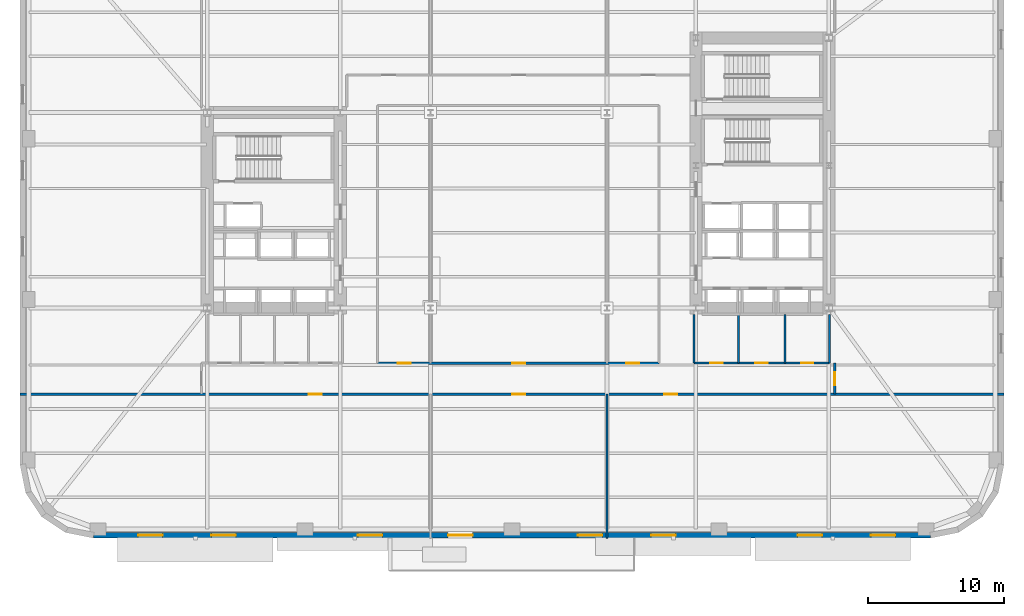
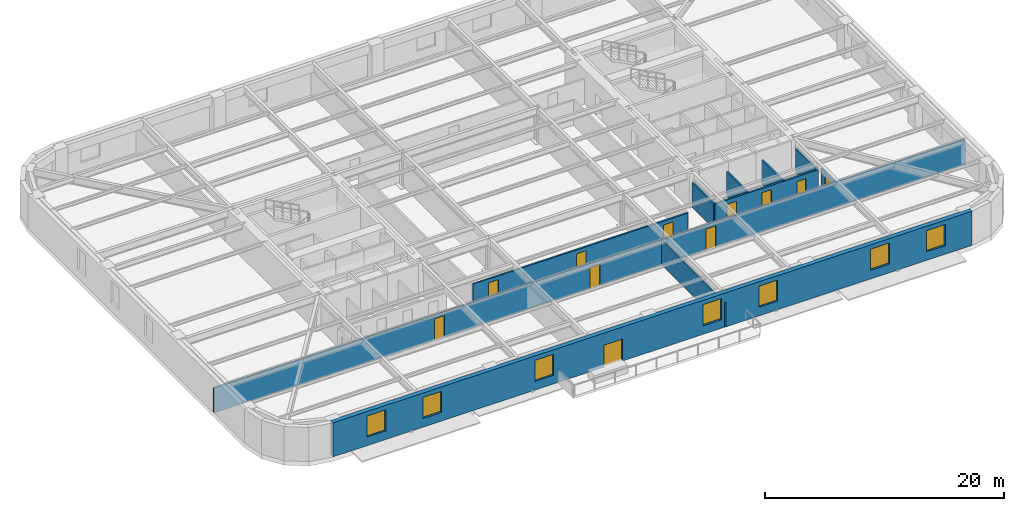
# One storey, part 5 of 15: 11 doors, 10 walls, 7 windows, 18 openings.
"""IFC4 building model written with IfcOpenShell, lengths in metres."""

from ifc_helpers import new_model, si_unit, direction, frame, frame_2d, origin, place, context, subcontext, project, spatial, rectangle, extrude, material, layer, layer_set, type_object, element, fill, save


model = new_model("IFC4")

# Units and contexts
model_context = context("Model", 3, precision=1e-05, world=origin(), true_north=direction((0.0, 1.0)))
body_context = subcontext(model_context, "Body", "Model", "MODEL_VIEW")
ifc_project = project(units=[si_unit("LENGTHUNIT", "METRE"), si_unit("AREAUNIT", "SQUARE_METRE"), si_unit("VOLUMEUNIT", "CUBIC_METRE"), si_unit("PLANEANGLEUNIT", "RADIAN"), si_unit("MASSUNIT", "GRAM", prefix="KILO")], contexts=[model_context])

# Site, building, storey
site_placement = place(None, origin())
site = spatial("IfcSite", under=ifc_project, at=site_placement, CompositionType="ELEMENT")
building_placement = place(site_placement, origin())
building = spatial("IfcBuilding", under=site, at=building_placement, Name="Kolvaren Arena Tower", CompositionType="ELEMENT")
storey_placement = place(building_placement, frame((0.0, 0.0, 42.0)))
storey = spatial("IfcBuildingStorey", under=building, at=storey_placement, Name="L07", CompositionType="ELEMENT", Elevation=42.0)

# Wall, openings, doors
ifc_material_1 = material(Name="Gypsum board acoustic assembly", Category="gypsum")
ifc_layer_1 = layer(ifc_material_1, 0.159912109375)
ifc_layer_set_1 = layer_set([ifc_layer_1], Name="Gypsum board acoustic assembly")
wall_type_1 = type_object("IfcWallType", Name="CORR-160", PredefinedType="PARTITIONING", material=ifc_layer_set_1)
wall_1_placement = place(storey_placement, frame((0.75, 13.10009765625, 0.0), z_axis=(0.0, 0.0, 1.0), x_axis=(1.0, 0.0, 0.0)))
wall_1 = element("IfcWall", 1, at=wall_1_placement, inside=storey, type_object=wall_type_1, Name="Interior Partition Wall (L07)", PredefinedType="PARTITIONING", context=body_context, shape_type="SweptSolid", body=[
    extrude(rectangle(XDim=72.5, YDim=0.159912109375, at=frame_2d((36.25, 0.0))), origin(), (0.0, 0.0, 1.0), 2.5400390625),
])
opening_1_placement = place(wall_1_placement, frame((21.27490234375, 0.0, 0.0)))
opening_1 = element("IfcOpeningElement", 2, at=opening_1_placement, cuts=wall_1, Name="Opening D05", PredefinedType="OPENING", context=body_context, shape_type="SweptSolid", body=[
    extrude(rectangle(XDim=0.949951171875, YDim=2.14990234375, at=frame_2d((0.47509765625, 1.074951171875))), frame((0.0, 0.08984375, 0.0), z_axis=(0.0, -1.0, 0.0), x_axis=(1.0, 0.0, 0.0)), (0.0, 0.0, 1.0), 0.179931640625),
])
opening_2_placement = place(wall_1_placement, frame((36.27490234375, 0.0, 0.0)))
opening_2 = element("IfcOpeningElement", 3, at=opening_2_placement, cuts=wall_1, Name="Opening D05", PredefinedType="OPENING", context=body_context, shape_type="SweptSolid", body=[
    extrude(rectangle(XDim=0.949951171875, YDim=2.14990234375, at=frame_2d((0.47509765625, 1.074951171875))), frame((0.0, 0.08984375, 0.0), z_axis=(0.0, -1.0, 0.0), x_axis=(1.0, 0.0, 0.0)), (0.0, 0.0, 1.0), 0.179931640625),
])
opening_3_placement = place(wall_1_placement, frame((47.47509765625, 0.0, 0.0)))
opening_3 = element("IfcOpeningElement", 4, at=opening_3_placement, cuts=wall_1, Name="Opening D05", PredefinedType="OPENING", context=body_context, shape_type="SweptSolid", body=[
    extrude(rectangle(XDim=0.949951171875, YDim=2.14990234375, at=frame_2d((0.47509765625, 1.074951171875))), frame((0.0, 0.08984375, 0.0), z_axis=(0.0, -1.0, 0.0), x_axis=(1.0, 0.0, 0.0)), (0.0, 0.0, 1.0), 0.179931640625),
])
ifc_material_2 = material(Name="Solid-core oak acoustic office door", Category="wood")
door_type_1 = type_object("IfcDoorType", Name="DOOR-OF-095", OperationType="NOTDEFINED", PredefinedType="DOOR", material=ifc_material_2)
door_1_placement = place(opening_1_placement, origin())
door_1 = element("IfcDoor", 5, at=door_1_placement, inside=storey, type_object=door_type_1, Name="Open Plan Office Door (L07)", OperationType="SINGLE_SWING_LEFT", OverallHeight=2.14990234375, OverallWidth=0.949951171875, PredefinedType="DOOR", context=body_context, shape_type="SweptSolid", body=[
    extrude(rectangle(XDim=0.949951171875, YDim=2.14990234375, at=frame_2d((0.47509765625, 1.074951171875))), frame((0.0, 0.02490234375, 0.0), z_axis=(0.0, -1.0, 0.0), x_axis=(1.0, 0.0, 0.0)), (0.0, 0.0, 1.0), 0.050048828125),
])
fill(opening_1, door_1)
door_2_placement = place(opening_2_placement, origin())
door_2 = element("IfcDoor", 6, at=door_2_placement, inside=storey, type_object=door_type_1, Name="Open Plan Office Door (L07)", OperationType="SINGLE_SWING_RIGHT", OverallHeight=2.14990234375, OverallWidth=0.949951171875, PredefinedType="DOOR", context=body_context, shape_type="SweptSolid", body=[
    extrude(rectangle(XDim=0.949951171875, YDim=2.14990234375, at=frame_2d((0.47509765625, 1.074951171875))), frame((0.0, 0.02490234375, 0.0), z_axis=(0.0, -1.0, 0.0), x_axis=(1.0, 0.0, 0.0)), (0.0, 0.0, 1.0), 0.050048828125),
])
fill(opening_2, door_2)
door_3_placement = place(opening_3_placement, origin())
door_3 = element("IfcDoor", 7, at=door_3_placement, inside=storey, type_object=door_type_1, Name="Collaborative Work Studio Door (L07)", OperationType="SINGLE_SWING_LEFT", OverallHeight=2.14990234375, OverallWidth=0.949951171875, PredefinedType="DOOR", context=body_context, shape_type="SweptSolid", body=[
    extrude(rectangle(XDim=0.949951171875, YDim=2.14990234375, at=frame_2d((0.47509765625, 1.074951171875))), frame((0.0, 0.02490234375, 0.0), z_axis=(0.0, -1.0, 0.0), x_axis=(1.0, 0.0, 0.0)), (0.0, 0.0, 1.0), 0.050048828125),
])
fill(opening_3, door_3)

wall_2_placement = place(storey_placement, frame((27.080078125, 15.3798828125, 0.0), z_axis=(0.0, 0.0, 1.0), x_axis=(1.0, 0.0, 0.0)))
wall_2 = element("IfcWall", 8, at=wall_2_placement, inside=storey, type_object=wall_type_1, Name="Interior Partition Wall (L07)", PredefinedType="PARTITIONING", context=body_context, shape_type="SweptSolid", body=[
    extrude(rectangle(XDim=20.739990234375, YDim=0.159912109375, at=frame_2d((10.3701171875, 0.0))), origin(), (0.0, 0.0, 1.0), 2.5400390625),
])
opening_4_placement = place(wall_2_placement, frame((1.4951171875, 0.0, 0.0)))
opening_4 = element("IfcOpeningElement", 9, at=opening_4_placement, cuts=wall_2, Name="Opening D05", PredefinedType="OPENING", context=body_context, shape_type="SweptSolid", body=[
    extrude(rectangle(XDim=0.949951171875, YDim=2.14990234375, at=frame_2d((0.47509765625, 1.074951171875))), frame((0.0, 0.08984375, 0.0), z_axis=(0.0, -1.0, 0.0), x_axis=(1.0, 0.0, 0.0)), (0.0, 0.0, 1.0), 0.179931640625),
])
opening_5_placement = place(wall_2_placement, frame((9.945068359375, 0.0, 0.0)))
opening_5 = element("IfcOpeningElement", 10, at=opening_5_placement, cuts=wall_2, Name="Opening D05", PredefinedType="OPENING", context=body_context, shape_type="SweptSolid", body=[
    extrude(rectangle(XDim=0.949951171875, YDim=2.14990234375, at=frame_2d((0.47509765625, 1.074951171875))), frame((0.0, 0.08984375, 0.0), z_axis=(0.0, -1.0, 0.0), x_axis=(1.0, 0.0, 0.0)), (0.0, 0.0, 1.0), 0.179931640625),
])
opening_6_placement = place(wall_2_placement, frame((18.344970703125, 0.0, 0.0)))
opening_6 = element("IfcOpeningElement", 11, at=opening_6_placement, cuts=wall_2, Name="Opening D05", PredefinedType="OPENING", context=body_context, shape_type="SweptSolid", body=[
    extrude(rectangle(XDim=0.949951171875, YDim=2.14990234375, at=frame_2d((0.47509765625, 1.074951171875))), frame((0.0, 0.08984375, 0.0), z_axis=(0.0, -1.0, 0.0), x_axis=(1.0, 0.0, 0.0)), (0.0, 0.0, 1.0), 0.179931640625),
])
door_4_placement = place(opening_4_placement, origin())
door_4 = element("IfcDoor", 12, at=door_4_placement, inside=storey, type_object=door_type_1, Name="Open Plan Office Door (L07)", OperationType="SINGLE_SWING_LEFT", OverallHeight=2.14990234375, OverallWidth=0.949951171875, PredefinedType="DOOR", context=body_context, shape_type="SweptSolid", body=[
    extrude(rectangle(XDim=0.949951171875, YDim=2.14990234375, at=frame_2d((0.47509765625, 1.074951171875))), frame((0.0, 0.02490234375, 0.0), z_axis=(0.0, -1.0, 0.0), x_axis=(1.0, 0.0, 0.0)), (0.0, 0.0, 1.0), 0.050048828125),
])
fill(opening_4, door_4)
door_5_placement = place(opening_5_placement, origin())
door_5 = element("IfcDoor", 13, at=door_5_placement, inside=storey, type_object=door_type_1, Name="Open Plan Office Door (L07)", OperationType="SINGLE_SWING_RIGHT", OverallHeight=2.14990234375, OverallWidth=0.949951171875, PredefinedType="DOOR", context=body_context, shape_type="SweptSolid", body=[
    extrude(rectangle(XDim=0.949951171875, YDim=2.14990234375, at=frame_2d((0.47509765625, 1.074951171875))), frame((0.0, 0.02490234375, 0.0), z_axis=(0.0, -1.0, 0.0), x_axis=(1.0, 0.0, 0.0)), (0.0, 0.0, 1.0), 0.050048828125),
])
fill(opening_5, door_5)
door_6_placement = place(opening_6_placement, origin())
door_6 = element("IfcDoor", 14, at=door_6_placement, inside=storey, type_object=door_type_1, Name="Meeting Room Door (L07)", OperationType="SINGLE_SWING_LEFT", OverallHeight=2.14990234375, OverallWidth=0.949951171875, PredefinedType="DOOR", context=body_context, shape_type="SweptSolid", body=[
    extrude(rectangle(XDim=0.949951171875, YDim=2.14990234375, at=frame_2d((0.47509765625, 1.074951171875))), frame((0.0, 0.02490234375, 0.0), z_axis=(0.0, -1.0, 0.0), x_axis=(1.0, 0.0, 0.0)), (0.0, 0.0, 1.0), 0.050048828125),
])
fill(opening_6, door_6)

# Wall, opening, door
wall_3_placement = place(storey_placement, frame((60.780029296875, 13.10009765625, 0.0), z_axis=(0.0, 0.0, 1.0), x_axis=(0.0, 1.0, 0.0)))
wall_3 = element("IfcWall", 15, at=wall_3_placement, inside=storey, type_object=wall_type_1, Name="Interior Partition Wall (L07)", PredefinedType="PARTITIONING", context=body_context, shape_type="SweptSolid", body=[
    extrude(rectangle(XDim=2.2998046875, YDim=0.159912109375, at=frame_2d((1.14990234375, 0.0))), origin(), (0.0, 0.0, 1.0), 2.5400390625),
])
opening_7_placement = place(wall_3_placement, frame((0.64990234375, 0.0, 0.0)))
opening_7 = element("IfcOpeningElement", 16, at=opening_7_placement, cuts=wall_3, Name="Opening D05", PredefinedType="OPENING", context=body_context, shape_type="SweptSolid", body=[
    extrude(rectangle(XDim=0.949951171875, YDim=2.14990234375, at=frame_2d((0.47509765625, 1.074951171875))), frame((0.0, 0.08984375, 0.0), z_axis=(0.0, -1.0, 0.0), x_axis=(1.0, 0.0, 0.0)), (0.0, 0.0, 1.0), 0.179931640625),
])
door_7_placement = place(opening_7_placement, origin())
door_7 = element("IfcDoor", 17, at=door_7_placement, inside=storey, type_object=door_type_1, Name="East Wing Studio Door (L07)", OperationType="SINGLE_SWING_RIGHT", OverallHeight=2.14990234375, OverallWidth=0.949951171875, PredefinedType="DOOR", context=body_context, shape_type="SweptSolid", body=[
    extrude(rectangle(XDim=0.949951171875, YDim=2.14990234375, at=frame_2d((0.47509765625, 1.074951171875))), frame((0.0, 0.02490234375, 0.0), z_axis=(0.0, -1.0, 0.0), x_axis=(1.0, 0.0, 0.0)), (0.0, 0.0, 1.0), 0.050048828125),
])
fill(opening_7, door_7)

# Wall, openings, door, windows
ifc_material_3 = material(Name="Precast concrete C50/60", Category="concrete")
ifc_layer_2 = layer(ifc_material_3, 0.419921875)
ifc_layer_set_2 = layer_set([ifc_layer_2], Name="Precast concrete C50/60")
wall_type_2 = type_object("IfcWallType", Name="EXT-PIER1", PredefinedType="SOLIDWALL", material=ifc_layer_set_2)
wall_4_placement = place(storey_placement, frame((67.85009765625, 2.7099609375, 0.0), z_axis=(0.0, 0.0, 1.0), x_axis=(-1.0, 0.0, 0.0)))
wall_4 = element("IfcWall", 18, at=wall_4_placement, inside=storey, type_object=wall_type_2, Name="Exterior Precast Masonry-Frame Wall (L07)", PredefinedType="SOLIDWALL", context=body_context, shape_type="SweptSolid", body=[
    extrude(rectangle(XDim=61.7001953125, YDim=0.419921875, at=frame_2d((30.85009765625, 0.0))), origin(), (0.0, 0.0, 1.0), 3.47998046875),
])
opening_8_placement = place(wall_4_placement, frame((33.75, 0.0, 0.0)))
opening_8 = element("IfcOpeningElement", 19, at=opening_8_placement, cuts=wall_4, Name="Opening D10", PredefinedType="OPENING", context=body_context, shape_type="SweptSolid", body=[
    extrude(rectangle(XDim=1.800048828125, YDim=2.25, at=frame_2d((0.89990234375, 1.125))), frame((0.0, 0.219970703125, 0.0), z_axis=(0.0, -1.0, 0.0), x_axis=(1.0, 0.0, 0.0)), (0.0, 0.0, 1.0), 0.43994140625),
])
opening_9_placement = place(wall_4_placement, frame((2.60009765625, 0.0, 0.8798828125)))
opening_9 = element("IfcOpeningElement", 20, at=opening_9_placement, cuts=wall_4, Name="Opening W02", PredefinedType="OPENING", context=body_context, shape_type="SweptSolid", body=[
    extrude(rectangle(XDim=1.800048828125, YDim=2.14990234375, at=frame_2d((0.89990234375, 1.074951171875))), frame((0.0, 0.219970703125, 0.0), z_axis=(0.0, -1.0, 0.0), x_axis=(1.0, 0.0, 0.0)), (0.0, 0.0, 1.0), 0.43994140625),
])
opening_10_placement = place(wall_4_placement, frame((8.0, 0.0, 0.8798828125)))
opening_10 = element("IfcOpeningElement", 21, at=opening_10_placement, cuts=wall_4, Name="Opening W02", PredefinedType="OPENING", context=body_context, shape_type="SweptSolid", body=[
    extrude(rectangle(XDim=1.800048828125, YDim=2.14990234375, at=frame_2d((0.89990234375, 1.074951171875))), frame((0.0, 0.219970703125, 0.0), z_axis=(0.0, -1.0, 0.0), x_axis=(1.0, 0.0, 0.0)), (0.0, 0.0, 1.0), 0.43994140625),
])
opening_11_placement = place(wall_4_placement, frame((18.800048828125, 0.0, 0.8798828125)))
opening_11 = element("IfcOpeningElement", 22, at=opening_11_placement, cuts=wall_4, Name="Opening W02", PredefinedType="OPENING", context=body_context, shape_type="SweptSolid", body=[
    extrude(rectangle(XDim=1.800048828125, YDim=2.14990234375, at=frame_2d((0.89990234375, 1.074951171875))), frame((0.0, 0.219970703125, 0.0), z_axis=(0.0, -1.0, 0.0), x_axis=(1.0, 0.0, 0.0)), (0.0, 0.0, 1.0), 0.43994140625),
])
opening_12_placement = place(wall_4_placement, frame((24.199951171875, 0.0, 0.8798828125)))
opening_12 = element("IfcOpeningElement", 23, at=opening_12_placement, cuts=wall_4, Name="Opening W02", PredefinedType="OPENING", context=body_context, shape_type="SweptSolid", body=[
    extrude(rectangle(XDim=1.800048828125, YDim=2.14990234375, at=frame_2d((0.89990234375, 1.074951171875))), frame((0.0, 0.219970703125, 0.0), z_axis=(0.0, -1.0, 0.0), x_axis=(1.0, 0.0, 0.0)), (0.0, 0.0, 1.0), 0.43994140625),
])
opening_13_placement = place(wall_4_placement, frame((40.39990234375, 0.0, 0.8798828125)))
opening_13 = element("IfcOpeningElement", 24, at=opening_13_placement, cuts=wall_4, Name="Opening W02", PredefinedType="OPENING", context=body_context, shape_type="SweptSolid", body=[
    extrude(rectangle(XDim=1.800048828125, YDim=2.14990234375, at=frame_2d((0.89990234375, 1.074951171875))), frame((0.0, 0.219970703125, 0.0), z_axis=(0.0, -1.0, 0.0), x_axis=(1.0, 0.0, 0.0)), (0.0, 0.0, 1.0), 0.43994140625),
])
opening_14_placement = place(wall_4_placement, frame((51.199951171875, 0.0, 0.8798828125)))
opening_14 = element("IfcOpeningElement", 25, at=opening_14_placement, cuts=wall_4, Name="Opening W02", PredefinedType="OPENING", context=body_context, shape_type="SweptSolid", body=[
    extrude(rectangle(XDim=1.800048828125, YDim=2.14990234375, at=frame_2d((0.89990234375, 1.074951171875))), frame((0.0, 0.219970703125, 0.0), z_axis=(0.0, -1.0, 0.0), x_axis=(1.0, 0.0, 0.0)), (0.0, 0.0, 1.0), 0.43994140625),
])
opening_15_placement = place(wall_4_placement, frame((56.60009765625, 0.0, 0.8798828125)))
opening_15 = element("IfcOpeningElement", 26, at=opening_15_placement, cuts=wall_4, Name="Opening W02", PredefinedType="OPENING", context=body_context, shape_type="SweptSolid", body=[
    extrude(rectangle(XDim=1.800048828125, YDim=2.14990234375, at=frame_2d((0.89990234375, 1.074951171875))), frame((0.0, 0.219970703125, 0.0), z_axis=(0.0, -1.0, 0.0), x_axis=(1.0, 0.0, 0.0)), (0.0, 0.0, 1.0), 0.43994140625),
])
ifc_material_4 = material(Name="Thermally broken glazed terrace door", Category="aluminium")
door_type_2 = type_object("IfcDoorType", Name="DOOR-TR-180", OperationType="DOUBLE_DOOR_SINGLE_SWING", PredefinedType="DOOR", material=ifc_material_4)
door_8_placement = place(opening_8_placement, origin())
door_8 = element("IfcDoor", 27, at=door_8_placement, inside=storey, type_object=door_type_2, Name="Setback Roof Terrace Access Door (L07)", OperationType="DOUBLE_DOOR_SINGLE_SWING", OverallHeight=2.25, OverallWidth=1.800048828125, PredefinedType="DOOR", context=body_context, shape_type="SweptSolid", body=[
    extrude(rectangle(XDim=1.800048828125, YDim=2.25, at=frame_2d((0.89990234375, 1.125))), frame((0.0, 0.02490234375, 0.0), z_axis=(0.0, -1.0, 0.0), x_axis=(1.0, 0.0, 0.0)), (0.0, 0.0, 1.0), 0.050048828125),
])
fill(opening_8, door_8)
ifc_material_5 = material(Name="Triple-glazed low-E aluminium window", Category="aluminium")
window_type = type_object("IfcWindowType", Name="WIN-OFF-B", PartitioningType="DOUBLE_PANEL_VERTICAL", PredefinedType="WINDOW", material=ifc_material_5)
window_1_placement = place(opening_9_placement, origin())
window_1 = element("IfcWindow", 28, at=window_1_placement, inside=storey, type_object=window_type, Name="Punched Precast-Pier Window (L07)", OverallHeight=2.14990234375, OverallWidth=1.800048828125, PartitioningType="DOUBLE_PANEL_VERTICAL", PredefinedType="WINDOW", context=body_context, shape_type="SweptSolid", body=[
    extrude(rectangle(XDim=1.800048828125, YDim=2.14990234375, at=frame_2d((0.89990234375, 1.074951171875))), frame((0.0, 0.030029296875, 0.0), z_axis=(0.0, -1.0, 0.0), x_axis=(1.0, 0.0, 0.0)), (0.0, 0.0, 1.0), 0.06005859375),
])
fill(opening_9, window_1)
window_2_placement = place(opening_10_placement, origin())
window_2 = element("IfcWindow", 29, at=window_2_placement, inside=storey, type_object=window_type, Name="Punched Precast-Pier Window (L07)", OverallHeight=2.14990234375, OverallWidth=1.800048828125, PartitioningType="DOUBLE_PANEL_VERTICAL", PredefinedType="WINDOW", context=body_context, shape_type="SweptSolid", body=[
    extrude(rectangle(XDim=1.800048828125, YDim=2.14990234375, at=frame_2d((0.89990234375, 1.074951171875))), frame((0.0, 0.030029296875, 0.0), z_axis=(0.0, -1.0, 0.0), x_axis=(1.0, 0.0, 0.0)), (0.0, 0.0, 1.0), 0.06005859375),
])
fill(opening_10, window_2)
window_3_placement = place(opening_11_placement, origin())
window_3 = element("IfcWindow", 30, at=window_3_placement, inside=storey, type_object=window_type, Name="Punched Precast-Pier Window (L07)", OverallHeight=2.14990234375, OverallWidth=1.800048828125, PartitioningType="DOUBLE_PANEL_VERTICAL", PredefinedType="WINDOW", context=body_context, shape_type="SweptSolid", body=[
    extrude(rectangle(XDim=1.800048828125, YDim=2.14990234375, at=frame_2d((0.89990234375, 1.074951171875))), frame((0.0, 0.030029296875, 0.0), z_axis=(0.0, -1.0, 0.0), x_axis=(1.0, 0.0, 0.0)), (0.0, 0.0, 1.0), 0.06005859375),
])
fill(opening_11, window_3)
window_4_placement = place(opening_12_placement, origin())
window_4 = element("IfcWindow", 31, at=window_4_placement, inside=storey, type_object=window_type, Name="Punched Precast-Pier Window (L07)", OverallHeight=2.14990234375, OverallWidth=1.800048828125, PartitioningType="DOUBLE_PANEL_VERTICAL", PredefinedType="WINDOW", context=body_context, shape_type="SweptSolid", body=[
    extrude(rectangle(XDim=1.800048828125, YDim=2.14990234375, at=frame_2d((0.89990234375, 1.074951171875))), frame((0.0, 0.030029296875, 0.0), z_axis=(0.0, -1.0, 0.0), x_axis=(1.0, 0.0, 0.0)), (0.0, 0.0, 1.0), 0.06005859375),
])
fill(opening_12, window_4)
window_5_placement = place(opening_13_placement, origin())
window_5 = element("IfcWindow", 32, at=window_5_placement, inside=storey, type_object=window_type, Name="Punched Precast-Pier Window (L07)", OverallHeight=2.14990234375, OverallWidth=1.800048828125, PartitioningType="DOUBLE_PANEL_VERTICAL", PredefinedType="WINDOW", context=body_context, shape_type="SweptSolid", body=[
    extrude(rectangle(XDim=1.800048828125, YDim=2.14990234375, at=frame_2d((0.89990234375, 1.074951171875))), frame((0.0, 0.030029296875, 0.0), z_axis=(0.0, -1.0, 0.0), x_axis=(1.0, 0.0, 0.0)), (0.0, 0.0, 1.0), 0.06005859375),
])
fill(opening_13, window_5)
window_6_placement = place(opening_14_placement, origin())
window_6 = element("IfcWindow", 33, at=window_6_placement, inside=storey, type_object=window_type, Name="Punched Precast-Pier Window (L07)", OverallHeight=2.14990234375, OverallWidth=1.800048828125, PartitioningType="DOUBLE_PANEL_VERTICAL", PredefinedType="WINDOW", context=body_context, shape_type="SweptSolid", body=[
    extrude(rectangle(XDim=1.800048828125, YDim=2.14990234375, at=frame_2d((0.89990234375, 1.074951171875))), frame((0.0, 0.030029296875, 0.0), z_axis=(0.0, -1.0, 0.0), x_axis=(1.0, 0.0, 0.0)), (0.0, 0.0, 1.0), 0.06005859375),
])
fill(opening_14, window_6)
window_7_placement = place(opening_15_placement, origin())
window_7 = element("IfcWindow", 34, at=window_7_placement, inside=storey, type_object=window_type, Name="Punched Precast-Pier Window (L07)", OverallHeight=2.14990234375, OverallWidth=1.800048828125, PartitioningType="DOUBLE_PANEL_VERTICAL", PredefinedType="WINDOW", context=body_context, shape_type="SweptSolid", body=[
    extrude(rectangle(XDim=1.800048828125, YDim=2.14990234375, at=frame_2d((0.89990234375, 1.074951171875))), frame((0.0, 0.030029296875, 0.0), z_axis=(0.0, -1.0, 0.0), x_axis=(1.0, 0.0, 0.0)), (0.0, 0.0, 1.0), 0.06005859375),
])
fill(opening_15, window_7)

# Wall
ifc_material_6 = material(Name="Gypsum board partition assembly", Category="gypsum")
ifc_layer_3 = layer(ifc_material_6, 0.135009765625)
ifc_layer_set_3 = layer_set([ifc_layer_3], Name="Gypsum board partition assembly")
wall_type_3 = type_object("IfcWallType", Name="PART-135", PredefinedType="PARTITIONING", material=ifc_layer_set_3)
wall_5_placement = place(storey_placement, frame((44.0, 2.5, 0.0), z_axis=(0.0, 0.0, 1.0), x_axis=(0.0, 1.0, 0.0)))
element("IfcWall", 35, at=wall_5_placement, inside=storey, type_object=wall_type_3, Name="Interior Partition Wall (L07)", PredefinedType="PARTITIONING", context=body_context, shape_type="SweptSolid", body=[
    extrude(rectangle(XDim=10.60009765625, YDim=0.135009765625, at=frame_2d((5.300048828125, 0.0))), origin(), (0.0, 0.0, 1.0), 2.5400390625),
])

# Wall, openings, doors
ifc_material_7 = material(Name="Concrete 45 MPa", Category="concrete")
ifc_layer_4 = layer(ifc_material_7, 0.25)
ifc_layer_set_4 = layer_set([ifc_layer_4], Name="Concrete 45 MPa")
wall_type_4 = type_object("IfcWallType", Name="SHAFT-250", PredefinedType="SOLIDWALL", material=ifc_layer_set_4)
wall_6_placement = place(storey_placement, frame((50.39990234375, 15.39990234375, 0.0), z_axis=(0.0, 0.0, 1.0), x_axis=(1.0, 0.0, 0.0)))
wall_6 = element("IfcWall", 36, at=wall_6_placement, inside=storey, type_object=wall_type_4, Name="Interior Partition Wall (L07)", PredefinedType="SOLIDWALL", context=body_context, shape_type="SweptSolid", body=[
    extrude(rectangle(XDim=10.0, YDim=0.179931640625, at=frame_2d((5.0, 0.0))), origin(), (0.0, 0.0, 1.0), 2.5400390625),
])
opening_16_placement = place(wall_6_placement, frame((1.18994140625, 0.0, 0.0)))
opening_16 = element("IfcOpeningElement", 37, at=opening_16_placement, cuts=wall_6, Name="Opening D07", PredefinedType="OPENING", context=body_context, shape_type="SweptSolid", body=[
    extrude(rectangle(XDim=0.919921875, YDim=2.10009765625, at=frame_2d((0.4599609375, 1.050048828125))), frame((0.0, 0.099853515625, 0.0), z_axis=(0.0, -1.0, 0.0), x_axis=(1.0, 0.0, 0.0)), (0.0, 0.0, 1.0), 0.199951171875),
])
opening_17_placement = place(wall_6_placement, frame((4.5400390625, 0.0, 0.0)))
opening_17 = element("IfcOpeningElement", 38, at=opening_17_placement, cuts=wall_6, Name="Opening D07", PredefinedType="OPENING", context=body_context, shape_type="SweptSolid", body=[
    extrude(rectangle(XDim=0.919921875, YDim=2.10009765625, at=frame_2d((0.4599609375, 1.050048828125))), frame((0.0, 0.099853515625, 0.0), z_axis=(0.0, -1.0, 0.0), x_axis=(1.0, 0.0, 0.0)), (0.0, 0.0, 1.0), 0.199951171875),
])
opening_18_placement = place(wall_6_placement, frame((7.919921875, 0.0, 0.0)))
opening_18 = element("IfcOpeningElement", 39, at=opening_18_placement, cuts=wall_6, Name="Opening D09", PredefinedType="OPENING", context=body_context, shape_type="SweptSolid", body=[
    extrude(rectangle(XDim=0.860107421875, YDim=2.050048828125, at=frame_2d((0.43017578125, 1.02490234375))), frame((0.0, 0.099853515625, 0.0), z_axis=(0.0, -1.0, 0.0), x_axis=(1.0, 0.0, 0.0)), (0.0, 0.0, 1.0), 0.199951171875),
])
ifc_material_8 = material(Name="Fire-rated steel riser access door", Category="steel")
door_type_3 = type_object("IfcDoorType", Name="DOOR-RS-086", OperationType="NOTDEFINED", PredefinedType="DOOR", material=ifc_material_8)
door_9_placement = place(opening_18_placement, origin())
door_9 = element("IfcDoor", 40, at=door_9_placement, inside=storey, type_object=door_type_3, Name="Mechanical Riser Closet Door (L07)", OperationType="SINGLE_SWING_LEFT", OverallHeight=2.050048828125, OverallWidth=0.860107421875, PredefinedType="DOOR", context=body_context, shape_type="SweptSolid", body=[
    extrude(rectangle(XDim=0.860107421875, YDim=2.050048828125, at=frame_2d((0.43017578125, 1.02490234375))), frame((0.0, 0.02490234375, 0.0), z_axis=(0.0, -1.0, 0.0), x_axis=(1.0, 0.0, 0.0)), (0.0, 0.0, 1.0), 0.050048828125),
])
fill(opening_18, door_9)
ifc_material_9 = material(Name="Laminate universal washroom door", Category="wood")
door_type_4 = type_object("IfcDoorType", Name="DOOR-WC-092", OperationType="NOTDEFINED", PredefinedType="DOOR", material=ifc_material_9)
door_10_placement = place(opening_16_placement, origin())
door_10 = element("IfcDoor", 41, at=door_10_placement, inside=storey, type_object=door_type_4, Name="Staff Pantry Door (L07)", OperationType="SINGLE_SWING_LEFT", OverallHeight=2.10009765625, OverallWidth=0.919921875, PredefinedType="DOOR", context=body_context, shape_type="SweptSolid", body=[
    extrude(rectangle(XDim=0.919921875, YDim=2.10009765625, at=frame_2d((0.4599609375, 1.050048828125))), frame((0.0, 0.02490234375, 0.0), z_axis=(0.0, -1.0, 0.0), x_axis=(1.0, 0.0, 0.0)), (0.0, 0.0, 1.0), 0.050048828125),
])
fill(opening_16, door_10)
door_11_placement = place(opening_17_placement, origin())
door_11 = element("IfcDoor", 42, at=door_11_placement, inside=storey, type_object=door_type_4, Name="Gender-Neutral Washroom Door (L07)", OperationType="SINGLE_SWING_RIGHT", OverallHeight=2.10009765625, OverallWidth=0.919921875, PredefinedType="DOOR", context=body_context, shape_type="SweptSolid", body=[
    extrude(rectangle(XDim=0.919921875, YDim=2.10009765625, at=frame_2d((0.4599609375, 1.050048828125))), frame((0.0, 0.02490234375, 0.0), z_axis=(0.0, -1.0, 0.0), x_axis=(1.0, 0.0, 0.0)), (0.0, 0.0, 1.0), 0.050048828125),
])
fill(opening_17, door_11)

# Walls
ifc_material_10 = material(Name="Moisture-resistant gypsum assembly", Category="gypsum")
ifc_layer_5 = layer(ifc_material_10, 0.14990234375)
ifc_layer_set_5 = layer_set([ifc_layer_5], Name="Moisture-resistant gypsum assembly")
wall_type_5 = type_object("IfcWallType", Name="WETW-150", PredefinedType="PARTITIONING", material=ifc_layer_set_5)
for number, where, z_axis, x_axis, name in (
    (43, (53.699951171875, 15.39990234375, 0.0), (0.0, 0.0, 1.0), (0.0, 1.0, 0.0), "Interior Partition Wall (L07)"),
    (44, (57.10009765625, 15.39990234375, 0.0), (0.0, 0.0, 1.0), (0.0, 1.0, 0.0), "Interior Partition Wall (L07)"),
    (45, (50.39990234375, 15.39990234375, 0.0), (0.0, 0.0, 1.0), (0.0, 1.0, 0.0), "Interior Partition Wall (L07)"),
    (46, (60.39990234375, 15.39990234375, 0.0), (0.0, 0.0, 1.0), (0.0, 1.0, 0.0), "Interior Partition Wall (L07)"),
):
    element("IfcWall", number, at=place(storey_placement, frame(where, z_axis=z_axis, x_axis=x_axis)), inside=storey, type_object=wall_type_5, Name=name, PredefinedType="PARTITIONING", context=body_context, shape_type="SweptSolid", body=[
        extrude(rectangle(XDim=3.580078125, YDim=0.14990234375, at=frame_2d((1.7900390625, 0.0))), origin(), (0.0, 0.0, 1.0), 2.5400390625),
    ])

save(model, "model.ifc")
